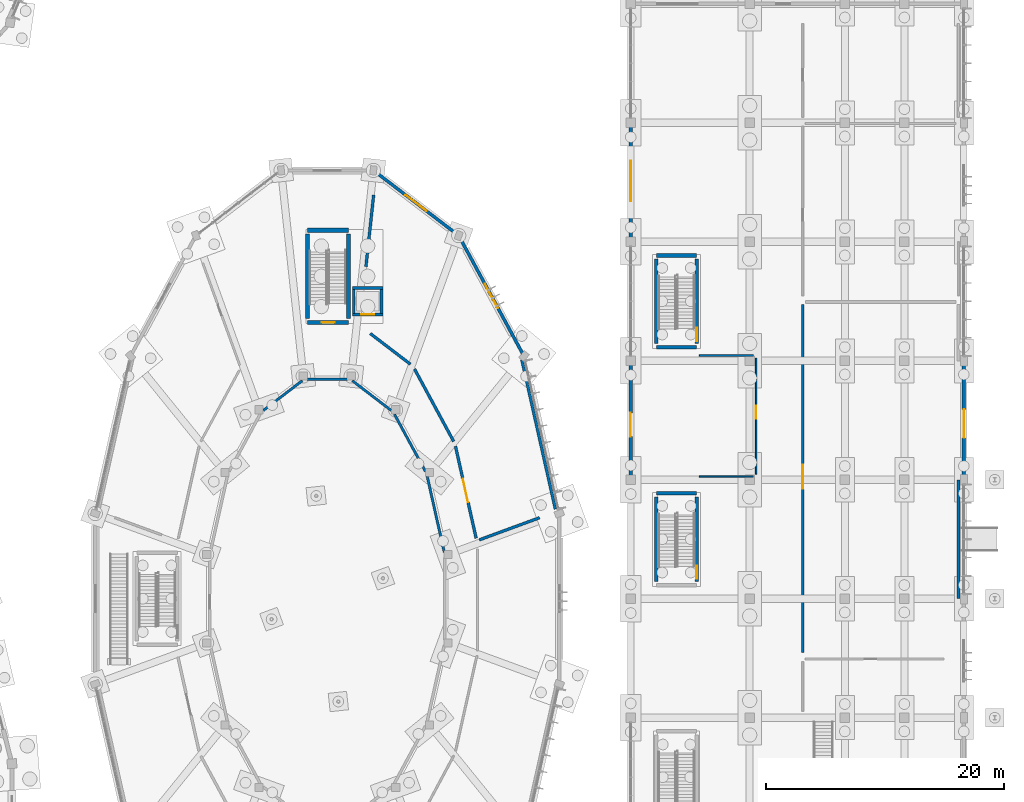
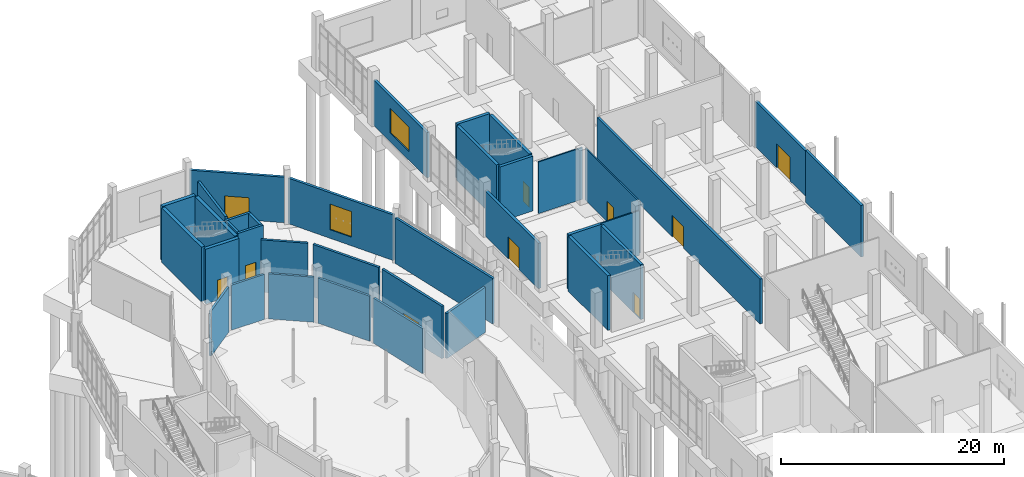
# One storey, part 92 of 140: 36 walls, 10 doors, 2 windows, 12 openings.
"""IFC4 building model written with IfcOpenShell, lengths in metres."""

from ifc_helpers import new_model, si_unit, direction, frame, frame_2d, origin, place, context, subcontext, project, spatial, rectangle, extrude, material, layer, layer_set, type_object, element, fill, save


model = new_model("IFC4")

# Units and contexts
model_context = context("Model", 3, precision=1e-05, world=origin(), true_north=direction((0.0, 1.0)))
body_context = subcontext(model_context, "Body", "Model", "MODEL_VIEW")
ifc_project = project(units=[si_unit("LENGTHUNIT", "METRE"), si_unit("AREAUNIT", "SQUARE_METRE"), si_unit("VOLUMEUNIT", "CUBIC_METRE"), si_unit("PLANEANGLEUNIT", "RADIAN"), si_unit("MASSUNIT", "GRAM", prefix="KILO")], contexts=[model_context])

# Site, building, storey
site_placement = place(None, origin())
site = spatial("IfcSite", under=ifc_project, at=site_placement, CompositionType="ELEMENT")
building_placement = place(site_placement, origin())
building = spatial("IfcBuilding", under=site, at=building_placement, Name="Corvandel Quay Wholesale Market", CompositionType="ELEMENT")
storey_placement = place(building_placement, origin())
storey = spatial("IfcBuildingStorey", under=building, at=storey_placement, Name="L00", CompositionType="ELEMENT", Elevation=0.0)

# Wall, opening, door
ifc_material_1 = material(Name="Buff-pigmented precast concrete C45/55", Category="concrete")
ifc_layer_1 = layer(ifc_material_1, 0.280029296875)
ifc_layer_set_1 = layer_set([ifc_layer_1], Name="Buff-pigmented precast concrete C45/55")
wall_type_1 = type_object("IfcWallType", Name="Colonnade Spandrel Precast Wall EW07 280", PredefinedType="SOLIDWALL", material=ifc_layer_set_1)
wall_1_placement = place(storey_placement, frame((248.0, 70.219970703125, 0.0), z_axis=(0.0, 0.0, 1.0), x_axis=(0.0, 1.0, 0.0)))
wall_1 = element("IfcWall", 1, at=wall_1_placement, inside=storey, type_object=wall_type_1, Name="Exterior Wall EW-0337", PredefinedType="SOLIDWALL", context=body_context, shape_type="SweptSolid", body=[
    extrude(rectangle(XDim=9.56005859375, YDim=0.280029296875, at=frame_2d((4.780029296875, 0.0))), origin(), (0.0, 0.0, 1.0), 4.9599609375),
])
opening_1_placement = place(wall_1_placement, frame((3.300048828125, 0.0, 0.0)))
opening_1 = element("IfcOpeningElement", 2, at=opening_1_placement, cuts=wall_1, Name="Opening L00-D053", PredefinedType="OPENING", context=body_context, shape_type="SweptSolid", body=[
    extrude(rectangle(XDim=2.39990234375, YDim=2.60009765625, at=frame_2d((1.199951171875, 1.300048828125))), frame((0.0, 0.14990234375, 0.0), z_axis=(0.0, -1.0, 0.0), x_axis=(1.0, 0.0, 0.0)), (0.0, 0.0, 1.0), 0.300048828125),
])
ifc_material_2 = material(Name="Bronze anodised aluminium and laminated glass", Category="aluminium")
door_type_1 = type_object("IfcDoorType", Name="Main Market Double Entrance Door ED01 2400x2600", OperationType="DOUBLE_DOOR_SINGLE_SWING", PredefinedType="DOOR", material=ifc_material_2)
door_1_placement = place(opening_1_placement, origin())
door_1 = element("IfcDoor", 3, at=door_1_placement, inside=storey, type_object=door_type_1, Name="Promenade Entrance 70", OperationType="DOUBLE_DOOR_SINGLE_SWING", OverallHeight=2.60009765625, OverallWidth=2.39990234375, PredefinedType="DOOR", context=body_context, shape_type="SweptSolid", body=[
    extrude(rectangle(XDim=2.39990234375, YDim=2.60009765625, at=frame_2d((1.199951171875, 1.300048828125))), frame((0.0, 0.02490234375, 0.0), z_axis=(0.0, -1.0, 0.0), x_axis=(1.0, 0.0, 0.0)), (0.0, 0.0, 1.0), 0.050048828125),
])
fill(opening_1, door_1)

wall_2_placement = place(storey_placement, frame((220.0, 70.219970703125, 0.0), z_axis=(0.0, 0.0, 1.0), x_axis=(0.0, 1.0, 0.0)))
wall_2 = element("IfcWall", 4, at=wall_2_placement, inside=storey, type_object=wall_type_1, Name="Exterior Wall EW-0338", PredefinedType="SOLIDWALL", context=body_context, shape_type="SweptSolid", body=[
    extrude(rectangle(XDim=9.56005859375, YDim=0.280029296875, at=frame_2d((4.780029296875, 0.0))), origin(), (0.0, 0.0, 1.0), 4.9599609375),
])
opening_2_placement = place(wall_2_placement, frame((3.39990234375, 0.0, 0.0)))
opening_2 = element("IfcOpeningElement", 5, at=opening_2_placement, cuts=wall_2, Name="Opening L00-D054", PredefinedType="OPENING", context=body_context, shape_type="SweptSolid", body=[
    extrude(rectangle(XDim=2.0, YDim=2.39990234375, at=frame_2d((1.0, 1.199951171875))), frame((0.0, 0.14990234375, 0.0), z_axis=(0.0, -1.0, 0.0), x_axis=(1.0, 0.0, 0.0)), (0.0, 0.0, 1.0), 0.300048828125),
])
door_type_2 = type_object("IfcDoorType", Name="Concourse Double Exit Door ED02 2000x2400", OperationType="DOUBLE_DOOR_SINGLE_SWING", PredefinedType="DOOR", material=ifc_material_2)
door_2_placement = place(opening_2_placement, origin())
door_2 = element("IfcDoor", 6, at=door_2_placement, inside=storey, type_object=door_type_2, Name="Court Entrance V5-70", OperationType="DOUBLE_DOOR_SINGLE_SWING", OverallHeight=2.39990234375, OverallWidth=2.0, PredefinedType="DOOR", context=body_context, shape_type="SweptSolid", body=[
    extrude(rectangle(XDim=2.0, YDim=2.39990234375, at=frame_2d((1.0, 1.199951171875))), frame((0.0, 0.02490234375, 0.0), z_axis=(0.0, -1.0, 0.0), x_axis=(1.0, 0.0, 0.0)), (0.0, 0.0, 1.0), 0.050048828125),
])
fill(opening_2, door_2)

# Wall, opening, window
wall_3_placement = place(storey_placement, frame((220.0, 90.219970703125, 0.0), z_axis=(0.0, 0.0, 1.0), x_axis=(0.0, 1.0, 0.0)))
wall_3 = element("IfcWall", 7, at=wall_3_placement, inside=storey, type_object=wall_type_1, Name="Exterior Wall EW-0340", PredefinedType="SOLIDWALL", context=body_context, shape_type="SweptSolid", body=[
    extrude(rectangle(XDim=9.56005859375, YDim=0.280029296875, at=frame_2d((4.780029296875, 0.0))), origin(), (0.0, 0.0, 1.0), 4.9599609375),
])
opening_3_placement = place(wall_3_placement, frame((3.199951171875, 0.0, 0.949951171875)))
opening_3 = element("IfcOpeningElement", 8, at=opening_3_placement, cuts=wall_3, Name="Opening L00-W080", PredefinedType="OPENING", context=body_context, shape_type="SweptSolid", body=[
    extrude(rectangle(XDim=3.39990234375, YDim=2.699951171875, at=frame_2d((1.699951171875, 1.35009765625))), frame((0.0, 0.14990234375, 0.0), z_axis=(0.0, -1.0, 0.0), x_axis=(1.0, 0.0, 0.0)), (0.0, 0.0, 1.0), 0.300048828125),
])
ifc_material_3 = material(Name="Thermally broken bronze anodised aluminium and solar-control low-E double glazing", Category="aluminium")
window_type_1 = type_object("IfcWindowType", Name="Waterfront Cafe Picture Window WN17 3400x2700", PartitioningType="SINGLE_PANEL", PredefinedType="WINDOW", material=ifc_material_3)
window_1_placement = place(opening_3_placement, origin())
window_1 = element("IfcWindow", 9, at=window_1_placement, inside=storey, type_object=window_type_1, Name="Window L00-W080", OverallHeight=2.699951171875, OverallWidth=3.39990234375, PartitioningType="SINGLE_PANEL", PredefinedType="WINDOW", context=body_context, shape_type="SweptSolid", body=[
    extrude(rectangle(XDim=3.39990234375, YDim=2.699951171875, at=frame_2d((1.699951171875, 1.35009765625))), frame((0.0, 0.030029296875, 0.0), z_axis=(0.0, -1.0, 0.0), x_axis=(1.0, 0.0, 0.0)), (0.0, 0.0, 1.0), 0.06005859375),
])
fill(opening_3, window_1)

# Wall, opening, door
ifc_material_4 = material(Name="Concrete C40/50", Category="concrete")
ifc_layer_2 = layer(ifc_material_4, 0.35009765625)
ifc_layer_set_2 = layer_set([ifc_layer_2], Name="Concrete C40/50")
wall_type_2 = type_object("IfcWallType", Name="Core Shear Wall SW01 350", PredefinedType="SHEAR", material=ifc_layer_set_2)
wall_4_placement = place(storey_placement, frame((192.824951171875, 83.22509765625, 0.0), z_axis=(0.0, 0.0, 1.0), x_axis=(1.0, 0.0, 0.0)))
wall_4 = element("IfcWall", 10, at=wall_4_placement, inside=storey, type_object=wall_type_2, Name="Shear Wall IW-0077", PredefinedType="SHEAR", context=body_context, shape_type="SweptSolid", body=[
    extrude(rectangle(XDim=3.449951171875, YDim=0.35009765625, at=frame_2d((1.72509765625, 0.0))), origin(), (0.0, 0.0, 1.0), 6.0),
])
opening_4_placement = place(wall_4_placement, frame((1.199951171875, 0.0, 0.0)))
opening_4 = element("IfcOpeningElement", 11, at=opening_4_placement, cuts=wall_4, Name="Opening L00-D063", PredefinedType="OPENING", context=body_context, shape_type="SweptSolid", body=[
    extrude(rectangle(XDim=1.10009765625, YDim=2.199951171875, at=frame_2d((0.550048828125, 1.10009765625))), frame((0.0, 0.18505859375, 0.0), z_axis=(0.0, -1.0, 0.0), x_axis=(1.0, 0.0, 0.0)), (0.0, 0.0, 1.0), 0.3701171875),
])
ifc_material_5 = material(Name="Galvanised fire-rated hollow steel", Category="steel")
door_type_3 = type_object("IfcDoorType", Name="Exit Stair Fire Door ID02 1100x2200R", OperationType="SINGLE_SWING_RIGHT", PredefinedType="DOOR", material=ifc_material_5)
door_3_placement = place(opening_4_placement, origin())
door_3 = element("IfcDoor", 12, at=door_3_placement, inside=storey, type_object=door_type_3, Name="Exit Stair Door SH08-L00", OperationType="SINGLE_SWING_RIGHT", OverallHeight=2.199951171875, OverallWidth=1.10009765625, PredefinedType="DOOR", context=body_context, shape_type="SweptSolid", body=[
    extrude(rectangle(XDim=1.10009765625, YDim=2.199951171875, at=frame_2d((0.550048828125, 1.10009765625))), frame((0.0, 0.02490234375, 0.0), z_axis=(0.0, -1.0, 0.0), x_axis=(1.0, 0.0, 0.0)), (0.0, 0.0, 1.0), 0.050048828125),
])
fill(opening_4, door_3)

# Walls
wall_5_placement = place(storey_placement, frame((192.824951171875, 90.97509765625, 0.0), z_axis=(0.0, 0.0, 1.0), x_axis=(1.0, 0.0, 0.0)))
element("IfcWall", 13, at=wall_5_placement, inside=storey, type_object=wall_type_2, Name="Shear Wall IW-0078", PredefinedType="SHEAR", context=body_context, shape_type="SweptSolid", body=[
    extrude(rectangle(XDim=3.449951171875, YDim=0.35009765625, at=frame_2d((1.72509765625, 0.0))), origin(), (0.0, 0.0, 1.0), 6.0),
])
for number, where, z_axis, x_axis, name in (
    (14, (192.824951171875, 83.5400390625, 0.0), (0.0, 0.0, 1.0), (0.0, 1.0, 0.0), "Shear Wall IW-0079"),
    (15, (196.27490234375, 83.5400390625, 0.0), (0.0, 0.0, 1.0), (0.0, 1.0, 0.0), "Shear Wall IW-0080"),
):
    element("IfcWall", number, at=place(storey_placement, frame(where, z_axis=z_axis, x_axis=x_axis)), inside=storey, type_object=wall_type_2, Name=name, PredefinedType="SHEAR", context=body_context, shape_type="SweptSolid", body=[
        extrude(rectangle(XDim=7.119873046875, YDim=0.35009765625, at=frame_2d((3.56005859375, 0.0))), origin(), (0.0, 0.0, 1.0), 6.0),
    ])
ifc_material_6 = material(Name="Gypsum-clad steel stud framing", Category="steel")
ifc_layer_3 = layer(ifc_material_6, 0.2099609375)
ifc_layer_set_3 = layer_set([ifc_layer_3], Name="Gypsum-clad steel stud framing")
wall_type_3 = type_object("IfcWallType", Name="Corridor Rated Partition PT02 210", PredefinedType="PARTITIONING", material=ifc_layer_set_3)
wall_6_placement = place(storey_placement, frame((189.1328125, 75.83056640625, 0.0), z_axis=(0.0, 0.0, 1.0), x_axis=(0.794324097456, 0.607494220714, 0.0)))
element("IfcWall", 16, at=wall_6_placement, inside=storey, type_object=wall_type_3, Name="Interior Wall IW-0684", PredefinedType="PARTITIONING", context=body_context, shape_type="SweptSolid", body=[
    extrude(rectangle(XDim=4.1083984375, YDim=0.2099609375, at=frame_2d((2.05419921875, 0.0))), origin(), (0.0, 0.0, 1.0), 4.93994140625),
])
wall_7_placement = place(storey_placement, frame((192.791015625, 78.4599609375, 0.0), z_axis=(0.0, 0.0, 1.0), x_axis=(1.0, 0.0, 0.0)))
element("IfcWall", 17, at=wall_7_placement, inside=storey, type_object=wall_type_3, Name="Interior Wall IW-0685", PredefinedType="PARTITIONING", context=body_context, shape_type="SweptSolid", body=[
    extrude(rectangle(XDim=3.41796875, YDim=0.2099609375, at=frame_2d((1.708984375, 0.0))), origin(), (0.0, 0.0, 1.0), 4.93994140625),
])
wall_8_placement = place(storey_placement, frame((196.603759765625, 78.326416015625, 0.0), z_axis=(0.0, 0.0, 1.0), x_axis=(0.794324097456, -0.607494220714, 0.0)))
element("IfcWall", 18, at=wall_8_placement, inside=storey, type_object=wall_type_3, Name="Interior Wall IW-0686", PredefinedType="PARTITIONING", context=body_context, shape_type="SweptSolid", body=[
    extrude(rectangle(XDim=4.1083984375, YDim=0.2099609375, at=frame_2d((2.05419921875, 0.0))), origin(), (0.0, 0.0, 1.0), 4.93994140625),
])
wall_9_placement = place(storey_placement, frame((200.146728515625, 75.50341796875, 0.0), z_axis=(0.0, 0.0, 1.0), x_axis=(0.476219723691, -0.879326318705, 0.0)))
element("IfcWall", 19, at=wall_9_placement, inside=storey, type_object=wall_type_3, Name="Interior Wall IW-0687", PredefinedType="PARTITIONING", context=body_context, shape_type="SweptSolid", body=[
    extrude(rectangle(XDim=5.456298828125, YDim=0.2099609375, at=frame_2d((2.72802734375, 0.0))), origin(), (0.0, 0.0, 1.0), 4.93994140625),
])
wall_10_placement = place(storey_placement, frame((202.898193359375, 70.29736328125, 0.0), z_axis=(0.0, 0.0, 1.0), x_axis=(0.218983275202, -0.975728612464, 0.0)))
element("IfcWall", 20, at=wall_10_placement, inside=storey, type_object=wall_type_3, Name="Interior Wall IW-0688", PredefinedType="PARTITIONING", context=body_context, shape_type="SweptSolid", body=[
    extrude(rectangle(XDim=6.546630859375, YDim=0.2099609375, at=frame_2d((3.2734375, 0.0))), origin(), (0.0, 0.0, 1.0), 4.93994140625),
])

# Wall, opening, door
ifc_material_7 = material(Name="Lightweight concrete blockwork", Category="masonry")
ifc_layer_4 = layer(ifc_material_7, 0.239990234375)
ifc_layer_set_4 = layer_set([ifc_layer_4], Name="Lightweight concrete blockwork")
wall_type_4 = type_object("IfcWallType", Name="Fire Compartment Partition PT01 240", PredefinedType="PARTITIONING", material=ifc_layer_set_4)
wall_11_placement = place(storey_placement, frame((207.0126953125, 65.083740234375, 0.0), z_axis=(0.0, 0.0, 1.0), x_axis=(-0.219151477766, 0.975690847448, 0.0)))
wall_11 = element("IfcWall", 21, at=wall_11_placement, inside=storey, type_object=wall_type_4, Name="Interior Wall IW-0690", PredefinedType="PARTITIONING", context=body_context, shape_type="SweptSolid", body=[
    extrude(rectangle(XDim=7.924072265625, YDim=0.239990234375, at=frame_2d((3.9619140625, 0.0))), origin(), (0.0, 0.0, 1.0), 5.739990234375),
])
opening_5_placement = place(wall_11_placement, frame((3.112060546875, 0.0, 0.0)))
opening_5 = element("IfcOpeningElement", 22, at=opening_5_placement, cuts=wall_11, Name="Opening L00-D106", PredefinedType="OPENING", context=body_context, shape_type="SweptSolid", body=[
    extrude(rectangle(XDim=2.0, YDim=2.35009765625, at=frame_2d((1.0, 1.175048828125))), frame((0.0, 0.1298828125, 0.0), z_axis=(0.0, -1.0, 0.0), x_axis=(1.0, 0.0, 0.0)), (0.0, 0.0, 1.0), 0.260009765625),
])
ifc_material_8 = material(Name="Heavy-duty anodised aluminium", Category="aluminium")
door_type_4 = type_object("IfcDoorType", Name="Trading Stall Double Door ID05 2000x2350", OperationType="DOUBLE_DOOR_SINGLE_SWING", PredefinedType="DOOR", material=ifc_material_8)
door_4_placement = place(opening_5_placement, origin())
door_4 = element("IfcDoor", 23, at=door_4_placement, inside=storey, type_object=door_type_4, Name="Wholesale Settlement Cashiers Hall Door", OperationType="DOUBLE_DOOR_SINGLE_SWING", OverallHeight=2.35009765625, OverallWidth=2.0, PredefinedType="DOOR", context=body_context, shape_type="SweptSolid", body=[
    extrude(rectangle(XDim=2.0, YDim=2.35009765625, at=frame_2d((1.0, 1.175048828125))), frame((0.0, 0.02490234375, 0.0), z_axis=(0.0, -1.0, 0.0), x_axis=(1.0, 0.0, 0.0)), (0.0, 0.0, 1.0), 0.050048828125),
])
fill(opening_5, door_4)

# Walls
wall_12_placement = place(storey_placement, frame((205.123291015625, 73.223388671875, 0.0), z_axis=(0.0, 0.0, 1.0), x_axis=(-0.475787247381, 0.879560398853, 0.0)))
element("IfcWall", 24, at=wall_12_placement, inside=storey, type_object=wall_type_4, Name="Interior Wall IW-0691", PredefinedType="PARTITIONING", context=body_context, shape_type="SweptSolid", body=[
    extrude(rectangle(XDim=6.916015625, YDim=0.239990234375, at=frame_2d((3.4580078125, 0.0))), origin(), (0.0, 0.0, 1.0), 5.739990234375),
])
wall_13_placement = place(storey_placement, frame((201.4873046875, 79.709716796875, 0.0), z_axis=(0.0, 0.0, 1.0), x_axis=(-0.79430401361, 0.607520480283, 0.0)))
element("IfcWall", 25, at=wall_13_placement, inside=storey, type_object=wall_type_4, Name="Interior Wall IW-0692", PredefinedType="PARTITIONING", context=body_context, shape_type="SweptSolid", body=[
    extrude(rectangle(XDim=4.249267578125, YDim=0.239990234375, at=frame_2d((2.12451171875, 0.0))), origin(), (0.0, 0.0, 1.0), 5.739990234375),
])
wall_14_placement = place(storey_placement, frame((197.74853515625, 87.906005859375, 0.0), z_axis=(0.0, 0.0, 1.0), x_axis=(0.107124111103, 0.994245656174, 0.0)))
element("IfcWall", 26, at=wall_14_placement, inside=storey, type_object=wall_type_4, Name="Interior Wall IW-0693", PredefinedType="PARTITIONING", context=body_context, shape_type="SweptSolid", body=[
    extrude(rectangle(XDim=6.05322265625, YDim=0.239990234375, at=frame_2d((3.026611328125, 0.0))), origin(), (0.0, 0.0, 1.0), 4.93994140625),
])
wall_15_placement = place(storey_placement, frame((210.852294921875, 80.09228515625, 0.0), z_axis=(0.0, 0.0, 1.0), x_axis=(0.218979767528, -0.975729399687, 0.0)))
element("IfcWall", 27, at=wall_15_placement, inside=storey, type_object=wall_type_4, Name="Interior Wall IW-0694", PredefinedType="PARTITIONING", context=body_context, shape_type="SweptSolid", body=[
    extrude(rectangle(XDim=12.8759765625, YDim=0.239990234375, at=frame_2d((6.43798828125, 0.0))), origin(), (0.0, 0.0, 1.0), 4.989990234375),
])
wall_16_placement = place(storey_placement, frame((212.343505859375, 66.80859375, 0.0), z_axis=(0.0, 0.0, 1.0), x_axis=(-0.938721046561, -0.344677815855, 0.0)))
element("IfcWall", 28, at=wall_16_placement, inside=storey, type_object=wall_type_4, Name="Interior Wall IW-0695", PredefinedType="PARTITIONING", context=body_context, shape_type="SweptSolid", body=[
    extrude(rectangle(XDim=5.4072265625, YDim=0.239990234375, at=frame_2d((2.70361328125, 0.0))), origin(), (0.0, 0.0, 1.0), 4.93994140625),
])

# Wall, opening, door
wall_17_placement = place(storey_placement, frame((234.4599609375, 55.47998046875, 0.0), z_axis=(0.0, 0.0, 1.0), x_axis=(0.0, 1.0, 0.0)))
wall_17 = element("IfcWall", 29, at=wall_17_placement, inside=storey, type_object=wall_type_4, Name="Interior Wall IW-0856", PredefinedType="PARTITIONING", context=body_context, shape_type="SweptSolid", body=[
    extrude(rectangle(XDim=29.239990234375, YDim=0.239990234375, at=frame_2d((14.6201171875, 0.0))), origin(), (0.0, 0.0, 1.0), 4.909912109375),
])
opening_6_placement = place(wall_17_placement, frame((13.77001953125, 0.0, 0.0)))
opening_6 = element("IfcOpeningElement", 30, at=opening_6_placement, cuts=wall_17, Name="Opening L00-D124", PredefinedType="OPENING", context=body_context, shape_type="SweptSolid", body=[
    extrude(rectangle(XDim=2.0, YDim=2.35009765625, at=frame_2d((1.0, 1.175048828125))), frame((0.0, 0.1298828125, 0.0), z_axis=(0.0, -1.0, 0.0), x_axis=(1.0, 0.0, 0.0)), (0.0, 0.0, 1.0), 0.260009765625),
])
door_5_placement = place(opening_6_placement, origin())
door_5 = element("IfcDoor", 31, at=door_5_placement, inside=storey, type_object=door_type_4, Name="Civic Retail Farmshop Hall Door", OperationType="DOUBLE_DOOR_SINGLE_SWING", OverallHeight=2.35009765625, OverallWidth=2.0, PredefinedType="DOOR", context=body_context, shape_type="SweptSolid", body=[
    extrude(rectangle(XDim=2.0, YDim=2.35009765625, at=frame_2d((1.0, 1.175048828125))), frame((0.0, 0.02490234375, 0.0), z_axis=(0.0, -1.0, 0.0), x_axis=(1.0, 0.0, 0.0)), (0.0, 0.0, 1.0), 0.050048828125),
])
fill(opening_6, door_5)

# Wall
wall_18_placement = place(storey_placement, frame((247.5400390625, 70.0, 0.0), z_axis=(0.0, 0.0, 1.0), x_axis=(0.0, -1.0, 0.0)))
element("IfcWall", 32, at=wall_18_placement, inside=storey, type_object=wall_type_4, Name="Interior Wall IW-0859", PredefinedType="PARTITIONING", context=body_context, shape_type="SweptSolid", body=[
    extrude(rectangle(XDim=10.0, YDim=0.239990234375, at=frame_2d((5.0, 0.0))), origin(), (0.0, 0.0, 1.0), 5.659912109375),
])

# Wall, opening, door
ifc_layer_5 = layer(ifc_material_4, 0.25)
ifc_layer_set_5 = layer_set([ifc_layer_5], Name="Concrete C40/50")
wall_type_5 = type_object("IfcWallType", Name="Lift Shaft Shear Wall SW03 250", PredefinedType="SHEAR", material=ifc_layer_set_5)
wall_19_placement = place(storey_placement, frame((196.60009765625, 83.875, 0.0), z_axis=(0.0, 0.0, 1.0), x_axis=(1.0, 0.0, 0.0)))
wall_19 = element("IfcWall", 33, at=wall_19_placement, inside=storey, type_object=wall_type_5, Name="Shear Wall IW-0285", PredefinedType="SHEAR", context=body_context, shape_type="SweptSolid", body=[
    extrude(rectangle(XDim=2.599853515625, YDim=0.25, at=frame_2d((1.2998046875, 0.0))), origin(), (0.0, 0.0, 1.0), 6.0),
])
opening_7_placement = place(wall_19_placement, frame((0.75, 0.0, 0.0)))
opening_7 = element("IfcOpeningElement", 34, at=opening_7_placement, cuts=wall_19, Name="Opening LD-L00-080", PredefinedType="OPENING", context=body_context, shape_type="SweptSolid", body=[
    extrude(rectangle(XDim=1.10009765625, YDim=2.199951171875, at=frame_2d((0.550048828125, 1.10009765625))), frame((0.0, 0.135009765625, 0.0), z_axis=(0.0, -1.0, 0.0), x_axis=(1.0, 0.0, 0.0)), (0.0, 0.0, 1.0), 0.27001953125),
])
ifc_material_9 = material(Name="Brushed stainless steel", Category="steel")
door_type_5 = type_object("IfcDoorType", Name="Passenger Lift Landing Door LD01 1100x2200", OperationType="DOUBLE_DOOR_SLIDING", PredefinedType="DOOR", material=ifc_material_9)
door_6_placement = place(opening_7_placement, origin())
door_6 = element("IfcDoor", 35, at=door_6_placement, inside=storey, type_object=door_type_5, Name="Lift Landing Door LF-V3P1-L00", OperationType="DOUBLE_DOOR_SLIDING", OverallHeight=2.199951171875, OverallWidth=1.10009765625, PredefinedType="DOOR", context=body_context, shape_type="SweptSolid", body=[
    extrude(rectangle(XDim=1.10009765625, YDim=2.199951171875, at=frame_2d((0.550048828125, 1.10009765625))), frame((0.0, 0.02490234375, 0.0), z_axis=(0.0, -1.0, 0.0), x_axis=(1.0, 0.0, 0.0)), (0.0, 0.0, 1.0), 0.050048828125),
])
fill(opening_7, door_6)

# Walls
wall_20_placement = place(storey_placement, frame((196.60009765625, 86.125, 0.0), z_axis=(0.0, 0.0, 1.0), x_axis=(1.0, 0.0, 0.0)))
element("IfcWall", 36, at=wall_20_placement, inside=storey, type_object=wall_type_5, Name="Shear Wall IW-0286", PredefinedType="SHEAR", context=body_context, shape_type="SweptSolid", body=[
    extrude(rectangle(XDim=2.599853515625, YDim=0.25, at=frame_2d((1.2998046875, 0.0))), origin(), (0.0, 0.0, 1.0), 6.0),
])
for number, where, z_axis, x_axis, name in (
    (37, (196.72509765625, 83.989990234375, 0.0), (0.0, 0.0, 1.0), (0.0, 1.0, 0.0), "Shear Wall IW-0287"),
    (38, (199.074951171875, 83.989990234375, 0.0), (0.0, 0.0, 1.0), (0.0, 1.0, 0.0), "Shear Wall IW-0288"),
):
    element("IfcWall", number, at=place(storey_placement, frame(where, z_axis=z_axis, x_axis=x_axis)), inside=storey, type_object=wall_type_5, Name=name, PredefinedType="SHEAR", context=body_context, shape_type="SweptSolid", body=[
        extrude(rectangle(XDim=2.02001953125, YDim=0.25, at=frame_2d((1.010009765625, 0.0))), origin(), (0.0, 0.0, 1.0), 6.0),
    ])
ifc_material_10 = material(Name="Double-layer acoustic gypsum stud partition")
ifc_layer_6 = layer(ifc_material_10, 0.139892578125)
ifc_layer_set_6 = layer_set([ifc_layer_6], Name="Double-layer acoustic gypsum stud partition")
wall_type_6 = type_object("IfcWallType", Name="Office Acoustic Partition PT07 140", PredefinedType="PARTITIONING", material=ifc_layer_set_6)
wall_21_placement = place(storey_placement, frame((225.77001953125, 80.43994140625, 0.0), z_axis=(0.0, 0.0, 1.0), x_axis=(1.0, 0.0, 0.0)))
element("IfcWall", 39, at=wall_21_placement, inside=storey, type_object=wall_type_6, Name="Interior Wall IW-0868", PredefinedType="PARTITIONING", context=body_context, shape_type="SweptSolid", body=[
    extrude(rectangle(XDim=4.550048828125, YDim=0.139892578125, at=frame_2d((2.27490234375, 0.0))), origin(), (0.0, 0.0, 1.0), 5.659912109375),
])

# Wall, opening, door
wall_22_placement = place(storey_placement, frame((230.5400390625, 80.219970703125, 0.0), z_axis=(0.0, 0.0, 1.0), x_axis=(0.0, -1.0, 0.0)))
wall_22 = element("IfcWall", 40, at=wall_22_placement, inside=storey, type_object=wall_type_6, Name="Interior Wall IW-0869", PredefinedType="PARTITIONING", context=body_context, shape_type="SweptSolid", body=[
    extrude(rectangle(XDim=9.739990234375, YDim=0.139892578125, at=frame_2d((4.8701171875, 0.0))), origin(), (0.0, 0.0, 1.0), 5.659912109375),
])
opening_8_placement = place(wall_22_placement, frame((4.02001953125, 0.0, 0.0)))
opening_8 = element("IfcOpeningElement", 41, at=opening_8_placement, cuts=wall_22, Name="Opening L00-D128", PredefinedType="OPENING", context=body_context, shape_type="SweptSolid", body=[
    extrude(rectangle(XDim=1.080078125, YDim=2.199951171875, at=frame_2d((0.5400390625, 1.10009765625))), frame((0.0, 0.079833984375, 0.0), z_axis=(0.0, -1.0, 0.0), x_axis=(1.0, 0.0, 0.0)), (0.0, 0.0, 1.0), 0.159912109375),
])
ifc_material_11 = material(Name="Stained oak glazed timber", Category="wood")
door_type_6 = type_object("IfcDoorType", Name="Information Desk Door ID24 1080x2200L", OperationType="SINGLE_SWING_LEFT", PredefinedType="DOOR", material=ifc_material_11)
door_7_placement = place(opening_8_placement, origin())
door_7 = element("IfcDoor", 42, at=door_7_placement, inside=storey, type_object=door_type_6, Name="Harbour Market Information Desk Door", OperationType="SINGLE_SWING_LEFT", OverallHeight=2.199951171875, OverallWidth=1.080078125, PredefinedType="DOOR", context=body_context, shape_type="SweptSolid", body=[
    extrude(rectangle(XDim=1.080078125, YDim=2.199951171875, at=frame_2d((0.5400390625, 1.10009765625))), frame((0.0, 0.02490234375, 0.0), z_axis=(0.0, -1.0, 0.0), x_axis=(1.0, 0.0, 0.0)), (0.0, 0.0, 1.0), 0.050048828125),
])
fill(opening_8, door_7)

# Wall
wall_23_placement = place(storey_placement, frame((230.320068359375, 70.260009765625, 0.0), z_axis=(0.0, 0.0, 1.0), x_axis=(-1.0, 0.0, 0.0)))
element("IfcWall", 43, at=wall_23_placement, inside=storey, type_object=wall_type_6, Name="Interior Wall IW-0870", PredefinedType="PARTITIONING", context=body_context, shape_type="SweptSolid", body=[
    extrude(rectangle(XDim=4.550048828125, YDim=0.139892578125, at=frame_2d((2.27490234375, 0.0))), origin(), (0.0, 0.0, 1.0), 4.909912109375),
])

# Wall, opening, window
ifc_material_12 = material(Name="Terracotta precast concrete C45/55", Category="masonry")
ifc_layer_7 = layer(ifc_material_12, 0.260009765625)
ifc_layer_set_7 = layer_set([ifc_layer_7], Name="Terracotta precast concrete C45/55")
wall_type_7 = type_object("IfcWallType", Name="Pavilion Pilaster Infill Wall EW08 260", PredefinedType="SOLIDWALL", material=ifc_layer_set_7)
wall_24_placement = place(storey_placement, frame((210.92626953125, 80.58544921875, 0.0), z_axis=(0.0, 0.0, 1.0), x_axis=(-0.476243387046, 0.87931350285, 0.0)))
wall_24 = element("IfcWall", 44, at=wall_24_placement, inside=storey, type_object=wall_type_7, Name="Exterior Wall EW-0161", PredefinedType="SOLIDWALL", context=body_context, shape_type="SweptSolid", body=[
    extrude(rectangle(XDim=11.0771484375, YDim=0.260009765625, at=frame_2d((5.53857421875, 0.0))), origin(), (0.0, 0.0, 1.0), 4.989990234375),
])
opening_9_placement = place(wall_24_placement, frame((4.388916015625, 0.0, 0.949951171875)))
opening_9 = element("IfcOpeningElement", 45, at=opening_9_placement, cuts=wall_24, Name="Opening L00-W067", PredefinedType="OPENING", context=body_context, shape_type="SweptSolid", body=[
    extrude(rectangle(XDim=2.300048828125, YDim=2.800048828125, at=frame_2d((1.14990234375, 1.39990234375))), frame((0.0, 0.139892578125, 0.0), z_axis=(0.0, -1.0, 0.0), x_axis=(1.0, 0.0, 0.0)), (0.0, 0.0, 1.0), 0.280029296875),
])
window_type_2 = type_object("IfcWindowType", Name="Auction Hall Tall Facet Window WN11 2300x2800", PartitioningType="SINGLE_PANEL", PredefinedType="WINDOW", material=ifc_material_3)
window_2_placement = place(opening_9_placement, origin())
window_2 = element("IfcWindow", 46, at=window_2_placement, inside=storey, type_object=window_type_2, Name="Window L00-W067", OverallHeight=2.800048828125, OverallWidth=2.300048828125, PartitioningType="SINGLE_PANEL", PredefinedType="WINDOW", context=body_context, shape_type="SweptSolid", body=[
    extrude(rectangle(XDim=2.300048828125, YDim=2.800048828125, at=frame_2d((1.14990234375, 1.39990234375))), frame((0.0, 0.030029296875, 0.0), z_axis=(0.0, -1.0, 0.0), x_axis=(1.0, 0.0, 0.0)), (0.0, 0.0, 1.0), 0.06005859375),
])
fill(opening_9, window_2)

# Wall, opening, door
wall_25_placement = place(storey_placement, frame((205.37109375, 90.652587890625, 0.0), z_axis=(0.0, 0.0, 1.0), x_axis=(-0.794325535109, 0.607492340918, 0.0)))
wall_25 = element("IfcWall", 47, at=wall_25_placement, inside=storey, type_object=wall_type_7, Name="Exterior Wall EW-0164", PredefinedType="SOLIDWALL", context=body_context, shape_type="SweptSolid", body=[
    extrude(rectangle(XDim=8.58251953125, YDim=0.260009765625, at=frame_2d((4.291259765625, 0.0))), origin(), (0.0, 0.0, 1.0), 4.989990234375),
])
opening_10_placement = place(wall_25_placement, frame((3.19091796875, 0.0, 0.0)))
opening_10 = element("IfcOpeningElement", 48, at=opening_10_placement, cuts=wall_25, Name="Opening L00-D022", PredefinedType="OPENING", context=body_context, shape_type="SweptSolid", body=[
    extrude(rectangle(XDim=2.199951171875, YDim=2.449951171875, at=frame_2d((1.10009765625, 1.22509765625))), frame((0.0, 0.139892578125, 0.0), z_axis=(0.0, -1.0, 0.0), x_axis=(1.0, 0.0, 0.0)), (0.0, 0.0, 1.0), 0.280029296875),
])
door_type_7 = type_object("IfcDoorType", Name="Auction Foyer Sliding Entrance ED08 2200x2450", OperationType="DOUBLE_DOOR_SLIDING", PredefinedType="DOOR", material=ifc_material_2)
door_8_placement = place(opening_10_placement, origin())
door_8 = element("IfcDoor", 49, at=door_8_placement, inside=storey, type_object=door_type_7, Name="Main Pedestrian Exit V3-02", OperationType="DOUBLE_DOOR_SLIDING", OverallHeight=2.449951171875, OverallWidth=2.199951171875, PredefinedType="DOOR", context=body_context, shape_type="SweptSolid", body=[
    extrude(rectangle(XDim=2.199951171875, YDim=2.449951171875, at=frame_2d((1.10009765625, 1.22509765625))), frame((0.0, 0.02490234375, 0.0), z_axis=(0.0, -1.0, 0.0), x_axis=(1.0, 0.0, 0.0)), (0.0, 0.0, 1.0), 0.050048828125),
])
fill(opening_10, door_8)

# Walls
ifc_layer_8 = layer(ifc_material_4, 0.300048828125)
ifc_layer_set_8 = layer_set([ifc_layer_8], Name="Concrete C40/50")
wall_type_8 = type_object("IfcWallType", Name="Stair Shaft Shear Wall SW02 300", PredefinedType="SHEAR", material=ifc_layer_set_8)
wall_26_placement = place(storey_placement, frame((222.14990234375, 68.85009765625, 0.0), z_axis=(0.0, 0.0, 1.0), x_axis=(1.0, 0.0, 0.0)))
element("IfcWall", 50, at=wall_26_placement, inside=storey, type_object=wall_type_8, Name="Shear Wall IW-0194", PredefinedType="SHEAR", context=body_context, shape_type="SweptSolid", body=[
    extrude(rectangle(XDim=3.400146484375, YDim=0.300048828125, at=frame_2d((1.7001953125, 0.0))), origin(), (0.0, 0.0, 1.0), 6.0),
])
wall_27_placement = place(storey_placement, frame((222.14990234375, 61.43994140625, 0.0), z_axis=(0.0, 0.0, 1.0), x_axis=(0.0, 1.0, 0.0)))
element("IfcWall", 51, at=wall_27_placement, inside=storey, type_object=wall_type_8, Name="Shear Wall IW-0195", PredefinedType="SHEAR", context=body_context, shape_type="SweptSolid", body=[
    extrude(rectangle(XDim=7.1201171875, YDim=0.300048828125, at=frame_2d((3.56005859375, 0.0))), origin(), (0.0, 0.0, 1.0), 6.0),
])

# Wall, opening, door
wall_28_placement = place(storey_placement, frame((225.550048828125, 61.43994140625, 0.0), z_axis=(0.0, 0.0, 1.0), x_axis=(0.0, 1.0, 0.0)))
wall_28 = element("IfcWall", 52, at=wall_28_placement, inside=storey, type_object=wall_type_8, Name="Shear Wall IW-0196", PredefinedType="SHEAR", context=body_context, shape_type="SweptSolid", body=[
    extrude(rectangle(XDim=7.1201171875, YDim=0.300048828125, at=frame_2d((3.56005859375, 0.0))), origin(), (0.0, 0.0, 1.0), 6.0),
])
opening_11_placement = place(wall_28_placement, frame((0.219970703125, 0.0, 0.0)))
opening_11 = element("IfcOpeningElement", 53, at=opening_11_placement, cuts=wall_28, Name="Opening L00-D073", PredefinedType="OPENING", context=body_context, shape_type="SweptSolid", body=[
    extrude(rectangle(XDim=1.10009765625, YDim=2.199951171875, at=frame_2d((0.550048828125, 1.10009765625))), frame((0.0, 0.159912109375, 0.0), z_axis=(0.0, -1.0, 0.0), x_axis=(1.0, 0.0, 0.0)), (0.0, 0.0, 1.0), 0.320068359375),
])
door_type_8 = type_object("IfcDoorType", Name="Exit Stair Fire Door ID01 1100x2200L", OperationType="SINGLE_SWING_LEFT", PredefinedType="DOOR", material=ifc_material_5)
door_9_placement = place(opening_11_placement, origin())
door_9 = element("IfcDoor", 54, at=door_9_placement, inside=storey, type_object=door_type_8, Name="Exit Stair Door SH18-L00", OperationType="SINGLE_SWING_LEFT", OverallHeight=2.199951171875, OverallWidth=1.10009765625, PredefinedType="DOOR", context=body_context, shape_type="SweptSolid", body=[
    extrude(rectangle(XDim=1.10009765625, YDim=2.199951171875, at=frame_2d((0.550048828125, 1.10009765625))), frame((0.0, 0.02490234375, 0.0), z_axis=(0.0, -1.0, 0.0), x_axis=(1.0, 0.0, 0.0)), (0.0, 0.0, 1.0), 0.050048828125),
])
fill(opening_11, door_9)

# Walls
for number, where, z_axis, x_axis, name in (
    (55, (222.14990234375, 81.14990234375, 0.0), (0.0, 0.0, 1.0), (1.0, 0.0, 0.0), "Shear Wall IW-0225"),
    (56, (222.14990234375, 88.85009765625, 0.0), (0.0, 0.0, 1.0), (1.0, 0.0, 0.0), "Shear Wall IW-0226"),
):
    element("IfcWall", number, at=place(storey_placement, frame(where, z_axis=z_axis, x_axis=x_axis)), inside=storey, type_object=wall_type_8, Name=name, PredefinedType="SHEAR", context=body_context, shape_type="SweptSolid", body=[
        extrude(rectangle(XDim=3.400146484375, YDim=0.300048828125, at=frame_2d((1.7001953125, 0.0))), origin(), (0.0, 0.0, 1.0), 6.0),
    ])
wall_29_placement = place(storey_placement, frame((222.14990234375, 81.43994140625, 0.0), z_axis=(0.0, 0.0, 1.0), x_axis=(0.0, 1.0, 0.0)))
element("IfcWall", 57, at=wall_29_placement, inside=storey, type_object=wall_type_8, Name="Shear Wall IW-0227", PredefinedType="SHEAR", context=body_context, shape_type="SweptSolid", body=[
    extrude(rectangle(XDim=7.1201171875, YDim=0.300048828125, at=frame_2d((3.56005859375, 0.0))), origin(), (0.0, 0.0, 1.0), 6.0),
])

# Wall, opening, door
wall_30_placement = place(storey_placement, frame((225.550048828125, 81.43994140625, 0.0), z_axis=(0.0, 0.0, 1.0), x_axis=(0.0, 1.0, 0.0)))
wall_30 = element("IfcWall", 58, at=wall_30_placement, inside=storey, type_object=wall_type_8, Name="Shear Wall IW-0228", PredefinedType="SHEAR", context=body_context, shape_type="SweptSolid", body=[
    extrude(rectangle(XDim=7.1201171875, YDim=0.300048828125, at=frame_2d((3.56005859375, 0.0))), origin(), (0.0, 0.0, 1.0), 6.0),
])
opening_12_placement = place(wall_30_placement, frame((0.219970703125, 0.0, 0.0)))
opening_12 = element("IfcOpeningElement", 59, at=opening_12_placement, cuts=wall_30, Name="Opening L00-D075", PredefinedType="OPENING", context=body_context, shape_type="SweptSolid", body=[
    extrude(rectangle(XDim=1.10009765625, YDim=2.199951171875, at=frame_2d((0.550048828125, 1.10009765625))), frame((0.0, 0.159912109375, 0.0), z_axis=(0.0, -1.0, 0.0), x_axis=(1.0, 0.0, 0.0)), (0.0, 0.0, 1.0), 0.320068359375),
])
door_10_placement = place(opening_12_placement, origin())
door_10 = element("IfcDoor", 60, at=door_10_placement, inside=storey, type_object=door_type_8, Name="Exit Stair Door SH20-L00", OperationType="SINGLE_SWING_LEFT", OverallHeight=2.199951171875, OverallWidth=1.10009765625, PredefinedType="DOOR", context=body_context, shape_type="SweptSolid", body=[
    extrude(rectangle(XDim=1.10009765625, YDim=2.199951171875, at=frame_2d((0.550048828125, 1.10009765625))), frame((0.0, 0.02490234375, 0.0), z_axis=(0.0, -1.0, 0.0), x_axis=(1.0, 0.0, 0.0)), (0.0, 0.0, 1.0), 0.050048828125),
])
fill(opening_12, door_10)

save(model, "model.ifc")
